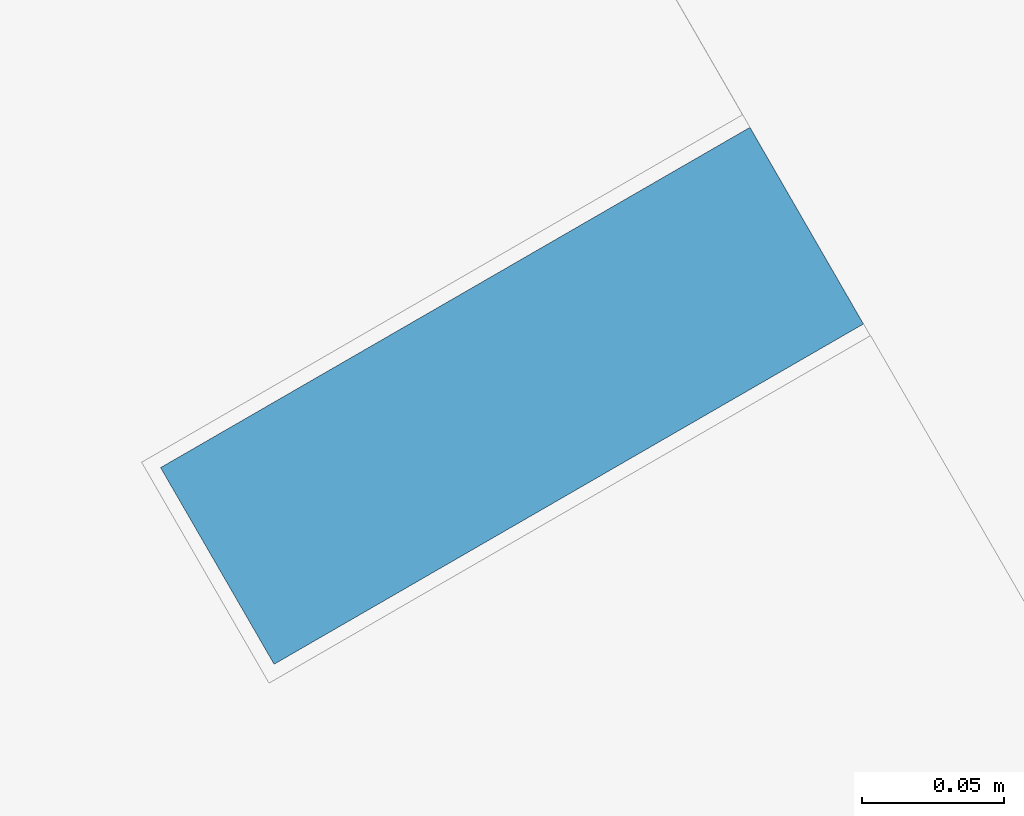
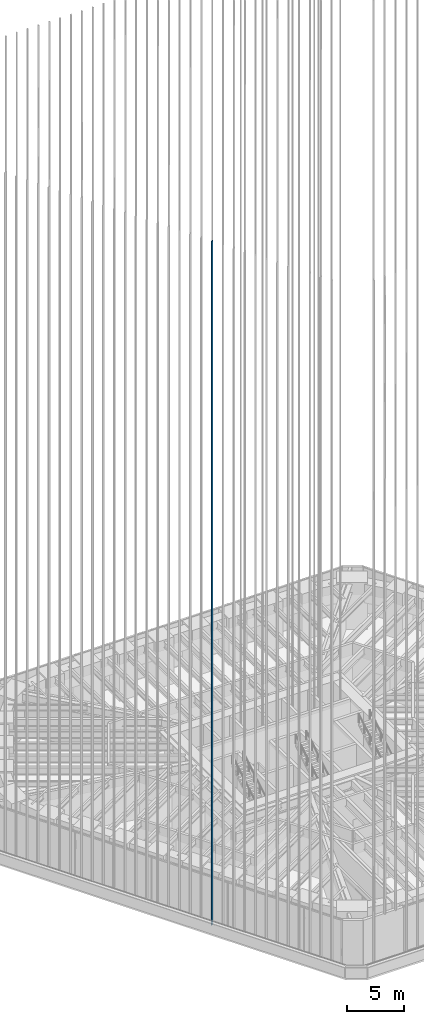
# One storey, part 12 of 228: 1 member, 1 element without a shape of its own.
"""IFC4 building model written with IfcOpenShell, lengths in metres."""

import ifcopenshell
import ifcopenshell.guid

model = None  # the IFC model being written
_history = None  # IfcOwnerHistory: only IFC2X3 demands one
_inside = {}  # id of a spatial element -> (the spatial element, [elements in it])
_under = {}  # id of a project, library or spatial element -> (it, [spatial elements below it])
_declared = {}  # id of a project -> (the project, [libraries it declares])
_typed = {}  # id of a type object -> (the type object, [elements of that type])
_made_of = {}  # id of a material, layer set ... -> (it, [elements and type objects made of it])


def new_model(schema):
    """Start an empty IFC model of exactly this schema.

    Asked for "IFC4X3", IfcOpenShell would pick the latest addendum, in which some entities
    have other attributes; the version numbers below select the first issue.
    IFC2X3 requires an IfcOwnerHistory on every rooted entity: one is made here for all.
    """
    global model, _history
    if schema == "IFC4X3":
        model = ifcopenshell.file(schema_version=(4, 3, 0, 0))
    else:
        model = ifcopenshell.file(schema=schema)
    _inside.clear()
    _under.clear()
    _declared.clear()
    _typed.clear()
    _made_of.clear()
    _history = None
    if model.schema == "IFC2X3":
        org = make("IfcOrganization", Name="unknown")
        user = make(
            "IfcPersonAndOrganization",
            ThePerson=make("IfcPerson", FamilyName="unknown"),
            TheOrganization=org,
        )
        app = make(
            "IfcApplication",
            ApplicationDeveloper=org,
            Version="unknown",
            ApplicationFullName="unknown",
            ApplicationIdentifier="unknown",
        )
        _history = make(
            "IfcOwnerHistory",
            OwningUser=user,
            OwningApplication=app,
            ChangeAction="ADDED",
            CreationDate=0,
        )
    return model


def make(cls, **values):
    """One entity of the class cls with the attributes given. An attribute that is None is left unset."""
    return model.create_entity(
        cls, **{name: value for name, value in values.items() if value is not None}
    )


def rooted(cls, **values):
    """An entity with a GlobalId (a new one), such as an element, a storey or a relation."""
    return make(cls, GlobalId=ifcopenshell.guid.new(), OwnerHistory=_history, **values)


def si_unit(unit_type, name, prefix=None):
    """IfcSIUnit, for example si_unit("LENGTHUNIT", "METRE", prefix="MILLI")."""
    return make("IfcSIUnit", UnitType=unit_type, Prefix=prefix, Name=name)


def assignment(units):
    """IfcUnitAssignment: the units of a project."""
    return None if units is None else make("IfcUnitAssignment", Units=units)


def point(xyz):
    """IfcCartesianPoint."""
    return None if xyz is None else make("IfcCartesianPoint", Coordinates=xyz)


def direction(xyz):
    """IfcDirection."""
    return None if xyz is None else make("IfcDirection", DirectionRatios=xyz)


def frame(location, z_axis=None, x_axis=None):
    """IfcAxis2Placement3D, a coordinate frame: its origin and axes. An axis left out is left unset."""
    return make(
        "IfcAxis2Placement3D",
        Location=point(location),
        Axis=direction(z_axis),
        RefDirection=direction(x_axis),
    )


def frame_2d(location, x_axis=None):
    """IfcAxis2Placement2D, a coordinate frame in the plane: its origin and x axis."""
    return make(
        "IfcAxis2Placement2D", Location=point(location), RefDirection=direction(x_axis)
    )


def origin():
    """The frame at (0, 0, 0) with its axes left unset."""
    return frame((0.0, 0.0, 0.0))


def origin_2d():
    """The frame at (0, 0) in the plane with its x axis left unset."""
    return frame_2d((0.0, 0.0))


def place(relative_to, where):
    """IfcLocalPlacement: puts the frame where relative to a parent placement (None: the world)."""
    return make(
        "IfcLocalPlacement", PlacementRelTo=relative_to, RelativePlacement=where
    )


def context(
    kind, dimensions, precision=None, world=None, true_north=None, identifier=None
):
    """IfcGeometricRepresentationContext, for example the 3D "Model" context."""
    return make(
        "IfcGeometricRepresentationContext",
        ContextIdentifier=identifier,
        ContextType=kind,
        CoordinateSpaceDimension=dimensions,
        Precision=precision,
        WorldCoordinateSystem=world,
        TrueNorth=true_north,
    )


def subcontext(parent, identifier, kind, view, scale=None):
    """IfcGeometricRepresentationSubContext, for example "Body" below "Model"."""
    return make(
        "IfcGeometricRepresentationSubContext",
        ContextIdentifier=identifier,
        ContextType=kind,
        ParentContext=parent,
        TargetScale=scale,
        TargetView=view,
    )


def project(units=None, contexts=None):
    """IfcProject with its units and contexts."""
    return rooted(
        "IfcProject",
        Name="project",
        RepresentationContexts=contexts,
        UnitsInContext=assignment(units),
    )


def spatial(cls, under=None, at=None, **own):
    """A site, building, storey or space (cls), placed at a placement, below another one or the project."""
    s = rooted(cls, ObjectPlacement=at, **own)
    if under is not None:
        _under.setdefault(under.id(), (under, []))[1].append(s)
    return s


def profile(cls, at=None, kind="AREA", **sizes):
    """A parametric profile (cls). Its sizes go by their IFC names, for example OverallWidth=200.0."""
    return make(cls, ProfileType=kind, Position=at, **sizes)


def rectangle(**sizes):
    """IfcRectangleProfileDef."""
    return profile("IfcRectangleProfileDef", **sizes)


def extrude(swept, where, along, depth):
    """IfcExtrudedAreaSolid: the profile swept, set in the frame where, extruded along a direction by depth."""
    return make(
        "IfcExtrudedAreaSolid",
        SweptArea=swept,
        Position=where,
        ExtrudedDirection=direction(along),
        Depth=depth,
    )


def shape(context_of_items, identifier, shape_type, items):
    """IfcShapeRepresentation: the items that make up one representation, for example the "Body"."""
    return make(
        "IfcShapeRepresentation",
        ContextOfItems=context_of_items,
        RepresentationIdentifier=identifier,
        RepresentationType=shape_type,
        Items=items,
    )


def material(Name=None, Category=None):
    """IfcMaterial."""
    return make("IfcMaterial", Name=Name, Category=Category)


def material_profile(
    of_material, cross_section, Name=None, Category=None, Priority=None
):
    """IfcMaterialProfile: a cross section and its material."""
    return make(
        "IfcMaterialProfile",
        Name=Name,
        Material=of_material,
        Profile=cross_section,
        Priority=Priority,
        Category=Category,
    )


def profile_set(profiles, Name=None, composite=None):
    """IfcMaterialProfileSet."""
    return make(
        "IfcMaterialProfileSet",
        Name=Name,
        MaterialProfiles=profiles,
        CompositeProfile=composite,
    )


def made_of(thing, what):
    """Note that an element or type object is made of a material, layer set ...; save() writes the relation."""
    if what is not None:
        _made_of.setdefault(what.id(), (what, []))[1].append(thing)
    return thing


def type_object(cls, material=None, **own):
    """A type object (cls), such as IfcWallType, which elements share."""
    return made_of(rooted(cls, **own), material)


def element(
    cls,
    number,
    at=None,
    inside=None,
    cuts=None,
    type_object=None,
    material=None,
    context=None,
    identifier="Body",
    shape_type=None,
    held_by="IfcProductDefinitionShape",
    body=None,
    shapes=None,
    **own,
):
    """One element of the class cls, such as IfcWall. Its Tag is "e" and its number.

    at: its placement. inside: the storey or other place that contains it. cuts: it is an
    opening in that element (IfcRelVoidsElement). A single representation is given by context,
    identifier, shape_type and body (its items); several are given by shapes. held_by: the class
    of the entity that holds the representations. save() writes the other relations.
    """
    e = rooted(cls, Tag="e%d" % number, ObjectPlacement=at, **own)
    if body is not None:
        shapes = [shape(context, identifier, shape_type, body)]
    if shapes is not None:
        e.Representation = make(held_by, Representations=shapes)
    if inside is not None:
        _inside.setdefault(inside.id(), (inside, []))[1].append(e)
    if cuts is not None:
        rooted(
            "IfcRelVoidsElement", RelatingBuildingElement=cuts, RelatedOpeningElement=e
        )
    if type_object is not None:
        _typed.setdefault(type_object.id(), (type_object, []))[1].append(e)
    return made_of(e, material)


def aggregate(whole, parts):
    """IfcRelAggregates: a whole, such as a stair, and the parts it consists of."""
    return rooted("IfcRelAggregates", RelatingObject=whole, RelatedObjects=parts)


def save(model, path):
    """Write the relations noted so far, then the file.

    IfcRelAggregates (storeys below a building ...), IfcRelContainedInSpatialStructure (elements
    in a storey), IfcRelDefinesByType, IfcRelAssociatesMaterial and IfcRelDeclares: one each for
    every whole, place, type object, material and project.
    """
    for whole, parts in _under.values():
        aggregate(whole, parts)
    for where, things in _inside.values():
        rooted(
            "IfcRelContainedInSpatialStructure",
            RelatedElements=things,
            RelatingStructure=where,
        )
    for kind, things in _typed.values():
        rooted("IfcRelDefinesByType", RelatedObjects=things, RelatingType=kind)
    for what, things in _made_of.values():
        rooted("IfcRelAssociatesMaterial", RelatedObjects=things, RelatingMaterial=what)
    for by, libraries in _declared.values():
        rooted("IfcRelDeclares", RelatingContext=by, RelatedDefinitions=libraries)
    model.write(path)


model = new_model("IFC4")

# Units and contexts
model_context = context("Model", 3, precision=1e-05, world=origin(), true_north=direction((0.0, 1.0)))
body_context = subcontext(model_context, "Body", "Model", "MODEL_VIEW")
ifc_project = project(units=[si_unit("LENGTHUNIT", "METRE"), si_unit("AREAUNIT", "SQUARE_METRE"), si_unit("VOLUMEUNIT", "CUBIC_METRE"), si_unit("PLANEANGLEUNIT", "RADIAN"), si_unit("MASSUNIT", "GRAM", prefix="KILO")], contexts=[model_context])

# Site, building, storey
site_placement = place(None, origin())
site = spatial("IfcSite", under=ifc_project, at=site_placement, CompositionType="ELEMENT")
building_placement = place(site_placement, origin())
building = spatial("IfcBuilding", under=site, at=building_placement, Name="Sandreach Pilgrim Tower", CompositionType="ELEMENT")
storey_placement = place(building_placement, frame((0.0, 0.0, 178.199951171875)))
storey = spatial("IfcBuildingStorey", under=building, at=storey_placement, Name="L44", CompositionType="ELEMENT", Elevation=178.199951171875)

# Curtain wall, member
ifc_material_1 = material(Name="Aluminium framed curtain wall", Category="aluminium")
curtain_wall_type = type_object("IfcCurtainWallType", Name="Upper hotel tower curtain wall", PredefinedType="NOTDEFINED", material=ifc_material_1)
curtain_wall_placement = place(storey_placement, origin())
curtain_wall = element("IfcCurtainWall", 1, at=curtain_wall_placement, inside=storey, type_object=curtain_wall_type, Name="CW-3 L44 SW", PredefinedType="NOTDEFINED")
ifc_material_2 = material(Name="Extruded terracotta on aluminium core", Category="masonry")
ifc_material_profile = material_profile(ifc_material_2, rectangle(XDim=0.080078125, YDim=0.239990234375, at=origin_2d()), Name="TBW 80X240")
ifc_profile_set = profile_set([ifc_material_profile], Name="Extruded terracotta on aluminium core")
member_type = type_object("IfcMemberType", Name="Terracotta baguette west", PredefinedType="USERDEFINED", material=ifc_profile_set)
member_placement = place(storey_placement, frame((-16.48486328125, -14.607666015625, 0.0), z_axis=(0.0, 0.0, 1.0), x_axis=(-0.5, 0.866025403784, 0.0)))
member = element("IfcMember", 2, at=member_placement, type_object=member_type, Name="Baguette Z3 SW12", ObjectType="BAGUETTE", PredefinedType="USERDEFINED", context=body_context, shape_type="SweptSolid", body=[
    extrude(rectangle(XDim=0.080078125, YDim=0.239990234375, at=origin_2d()), origin(), (0.0, 0.0, 1.0), 73.239990234375),
])
aggregate(curtain_wall, [member])

save(model, "model.ifc")
